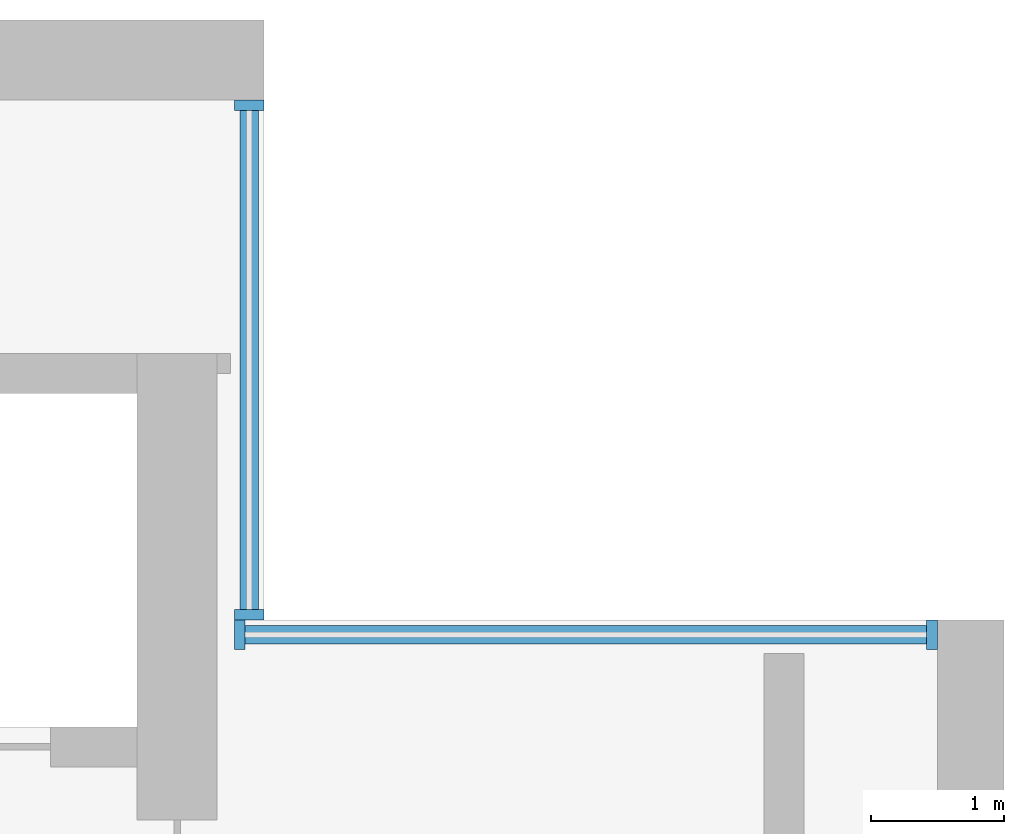
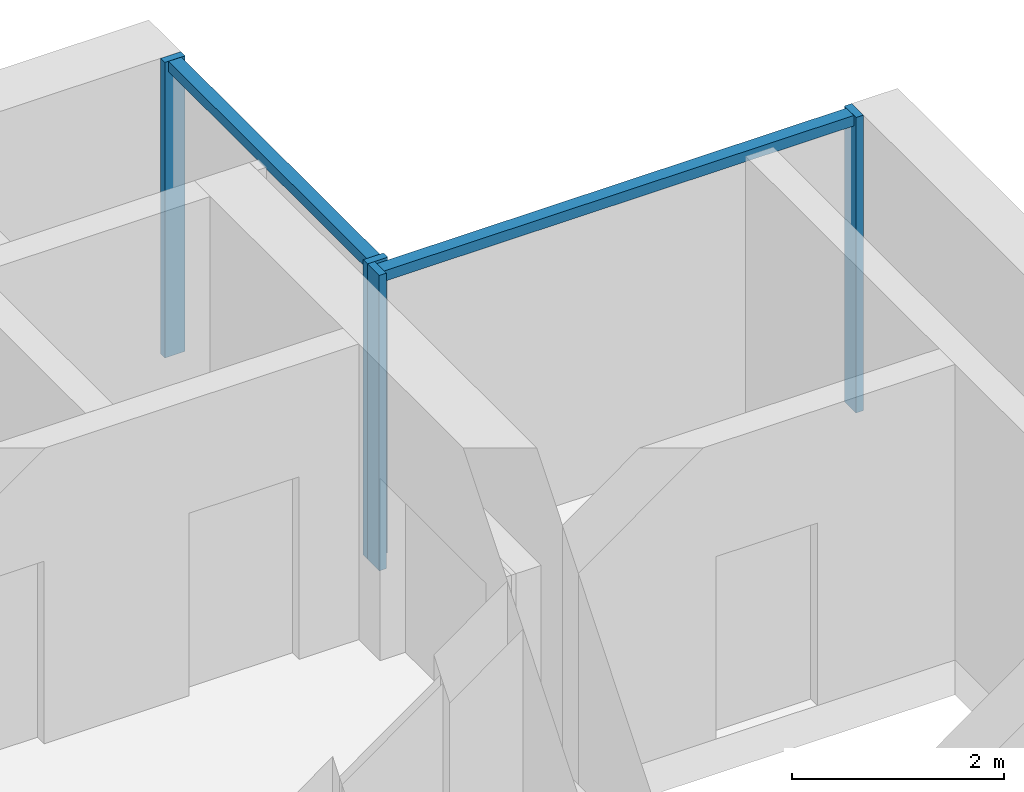
# One storey, part 5 of 14: 6 members, 2 elements without a shape of their own.
"""IFC4 building model written with IfcOpenShell, lengths in metres."""

from ifc_helpers import new_model, si_unit, direction, frame, origin, origin_2d, place, context, subcontext, project, spatial, rectangle, extrude, material, material_profile, profile_set, type_object, element, aggregate, save


model = new_model("IFC4")

# Units and contexts
model_context = context("Model", 3, precision=1e-05, world=origin(), true_north=direction((0.0, 1.0)))
body_context = subcontext(model_context, "Body", "Model", "MODEL_VIEW")
ifc_project = project(units=[si_unit("LENGTHUNIT", "METRE"), si_unit("AREAUNIT", "SQUARE_METRE"), si_unit("VOLUMEUNIT", "CUBIC_METRE"), si_unit("PLANEANGLEUNIT", "RADIAN"), si_unit("MASSUNIT", "GRAM", prefix="KILO")], contexts=[model_context])

# Site, building, storey
site_placement = place(None, origin())
site = spatial("IfcSite", under=ifc_project, at=site_placement, CompositionType="ELEMENT")
building_placement = place(site_placement, origin())
building = spatial("IfcBuilding", under=site, at=building_placement, Name="Calvaro Tower", CompositionType="ELEMENT")
storey_placement = place(building_placement, frame((0.0, 0.0, 243.14990234375)))
storey = spatial("IfcBuildingStorey", under=building, at=storey_placement, Name="L61", CompositionType="ELEMENT", Elevation=243.14990234375)

# Curtain wall, members
ifc_material_1 = material(Name="Anodised aluminium", Category="aluminium")
curtain_wall_type = type_object("IfcCurtainWallType", Name="Executive curtain wall", PredefinedType="NOTDEFINED", material=ifc_material_1)
curtain_wall_1_placement = place(storey_placement, origin())
curtain_wall_1 = element("IfcCurtainWall", 1, at=curtain_wall_1_placement, inside=storey, type_object=curtain_wall_type, Name="CW4 corner curtain wall", PredefinedType="NOTDEFINED")
ifc_material_2 = material(Name="Anodised aluminium", Category="aluminium")
ifc_material_profile_1 = material_profile(ifc_material_2, rectangle(XDim=0.219970703125, YDim=0.080078125, at=origin_2d()), Name="Mullion S4 80 x 220")
ifc_profile_set_1 = profile_set([ifc_material_profile_1], Name="Anodised aluminium")
member_type_1 = type_object("IfcMemberType", Name="Mullion S4 80 x 220", PredefinedType="MULLION", material=ifc_profile_set_1)
member_1_placement = place(storey_placement, frame((60.340087890625, 41.5400390625, 0.0), z_axis=(0.0, 0.0, 1.0), x_axis=(-1.0, 0.0, 0.0)))
member_1 = element("IfcMember", 2, at=member_1_placement, type_object=member_type_1, Name="CW4 mullion 1", PredefinedType="MULLION", context=body_context, shape_type="SweptSolid", body=[
    extrude(rectangle(XDim=0.219970703125, YDim=0.080078125, at=origin_2d()), origin(), (0.0, 0.0, 1.0), 3.400146484375),
])
member_2_placement = place(storey_placement, frame((60.340087890625, 45.360107421875, 0.0), z_axis=(0.0, 0.0, 1.0), x_axis=(-1.0, 0.0, 0.0)))
member_2 = element("IfcMember", 3, at=member_2_placement, type_object=member_type_1, Name="CW4 mullion 2", PredefinedType="MULLION", context=body_context, shape_type="SweptSolid", body=[
    extrude(rectangle(XDim=0.219970703125, YDim=0.080078125, at=origin_2d()), origin(), (0.0, 0.0, 1.0), 3.400146484375),
])

curtain_wall_2_placement = place(storey_placement, origin())
curtain_wall_2 = element("IfcCurtainWall", 4, at=curtain_wall_2_placement, inside=storey, type_object=curtain_wall_type, Name="CW4 corner curtain wall", PredefinedType="NOTDEFINED")
member_3_placement = place(storey_placement, frame((60.27001953125, 41.389892578125, 0.0), z_axis=(0.0, 0.0, 1.0), x_axis=(0.0, 1.0, 0.0)))
member_3 = element("IfcMember", 5, at=member_3_placement, type_object=member_type_1, Name="CW4 mullion 1", PredefinedType="MULLION", context=body_context, shape_type="SweptSolid", body=[
    extrude(rectangle(XDim=0.219970703125, YDim=0.080078125, at=origin_2d()), origin(), (0.0, 0.0, 1.0), 3.400146484375),
])
member_4_placement = place(storey_placement, frame((65.4599609375, 41.389892578125, 0.0), z_axis=(0.0, 0.0, 1.0), x_axis=(0.0, 1.0, 0.0)))
member_4 = element("IfcMember", 6, at=member_4_placement, type_object=member_type_1, Name="CW4 mullion 2", PredefinedType="MULLION", context=body_context, shape_type="SweptSolid", body=[
    extrude(rectangle(XDim=0.219970703125, YDim=0.080078125, at=origin_2d()), origin(), (0.0, 0.0, 1.0), 3.400146484375),
])

# Member
ifc_material_3 = material(Name="Anodised aluminium", Category="aluminium")
ifc_material_profile_2 = material_profile(ifc_material_3, rectangle(XDim=0.139892578125, YDim=0.1201171875, at=origin_2d()), Name="Transom S4 120 x 140")
ifc_profile_set_2 = profile_set([ifc_material_profile_2], Name="Anodised aluminium")
member_type_2 = type_object("IfcMemberType", Name="Transom S4 120 x 140", PredefinedType="USERDEFINED", material=ifc_profile_set_2)
member_5_placement = place(storey_placement, frame((60.340087890625, 41.580078125, 3.340087890625), z_axis=(0.0, 1.0, 0.0), x_axis=(-1.0, 0.0, 0.0)))
member_5 = element("IfcMember", 7, at=member_5_placement, type_object=member_type_2, Name="CW4 transom 1.1", ObjectType="TRANSOM", PredefinedType="USERDEFINED", context=body_context, shape_type="SweptSolid", body=[
    extrude(rectangle(XDim=0.139892578125, YDim=0.1201171875, at=origin_2d()), origin(), (0.0, 0.0, 1.0), 3.739990234375),
])

aggregate(curtain_wall_1, [member_1, member_2, member_5])

member_6_placement = place(storey_placement, frame((60.31005859375, 41.389892578125, 3.340087890625), z_axis=(1.0, 0.0, 0.0), x_axis=(0.0, 1.0, 0.0)))
member_6 = element("IfcMember", 8, at=member_6_placement, type_object=member_type_2, Name="CW4 transom 1.1", ObjectType="TRANSOM", PredefinedType="USERDEFINED", context=body_context, shape_type="SweptSolid", body=[
    extrude(rectangle(XDim=0.139892578125, YDim=0.1201171875, at=origin_2d()), origin(), (0.0, 0.0, 1.0), 5.10986328125),
])

aggregate(curtain_wall_2, [member_3, member_4, member_6])

save(model, "model.ifc")
